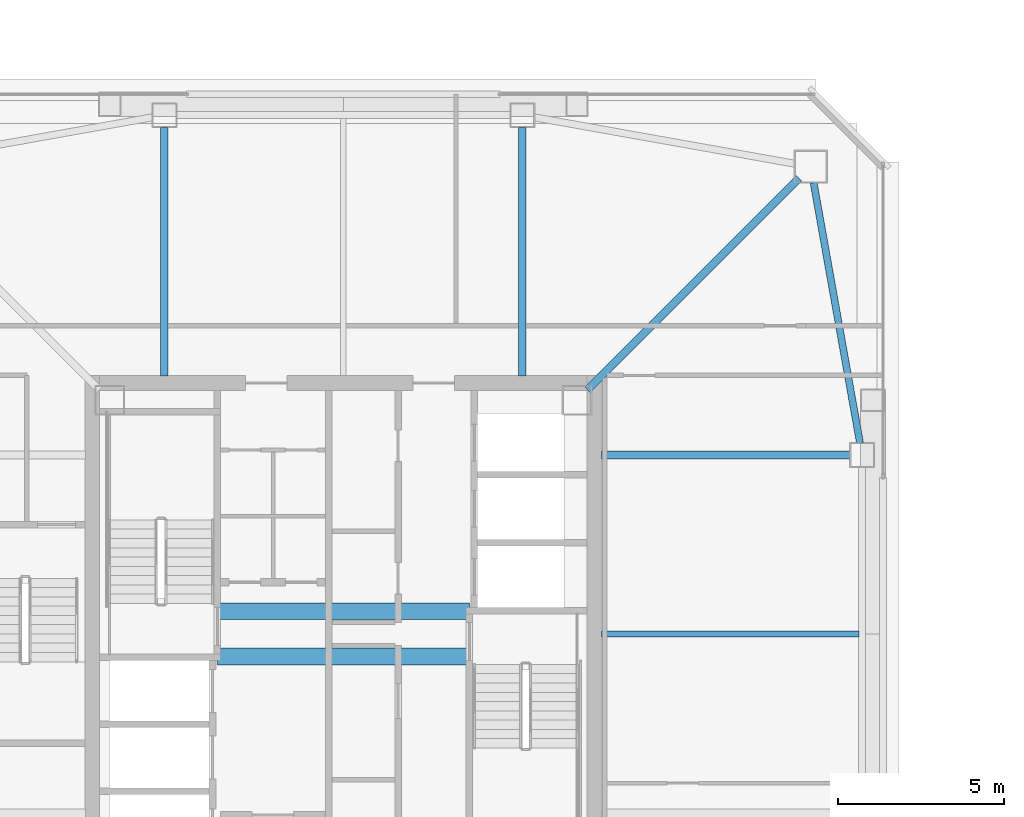
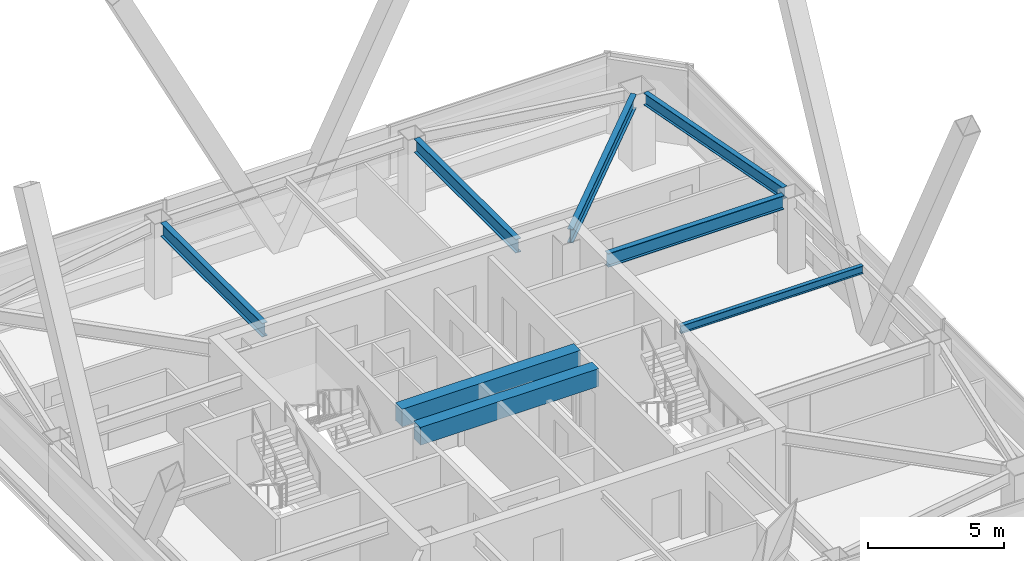
# One storey, part 10 of 47: 8 beams.
"""IFC4 building model written with IfcOpenShell, lengths in metres."""

import ifcopenshell
import ifcopenshell.guid

model = None  # the IFC model being written
_history = None  # IfcOwnerHistory: only IFC2X3 demands one
_inside = {}  # id of a spatial element -> (the spatial element, [elements in it])
_under = {}  # id of a project, library or spatial element -> (it, [spatial elements below it])
_declared = {}  # id of a project -> (the project, [libraries it declares])
_typed = {}  # id of a type object -> (the type object, [elements of that type])
_made_of = {}  # id of a material, layer set ... -> (it, [elements and type objects made of it])


def new_model(schema):
    """Start an empty IFC model of exactly this schema.

    Asked for "IFC4X3", IfcOpenShell would pick the latest addendum, in which some entities
    have other attributes; the version numbers below select the first issue.
    IFC2X3 requires an IfcOwnerHistory on every rooted entity: one is made here for all.
    """
    global model, _history
    if schema == "IFC4X3":
        model = ifcopenshell.file(schema_version=(4, 3, 0, 0))
    else:
        model = ifcopenshell.file(schema=schema)
    _inside.clear()
    _under.clear()
    _declared.clear()
    _typed.clear()
    _made_of.clear()
    _history = None
    if model.schema == "IFC2X3":
        org = make("IfcOrganization", Name="unknown")
        user = make(
            "IfcPersonAndOrganization",
            ThePerson=make("IfcPerson", FamilyName="unknown"),
            TheOrganization=org,
        )
        app = make(
            "IfcApplication",
            ApplicationDeveloper=org,
            Version="unknown",
            ApplicationFullName="unknown",
            ApplicationIdentifier="unknown",
        )
        _history = make(
            "IfcOwnerHistory",
            OwningUser=user,
            OwningApplication=app,
            ChangeAction="ADDED",
            CreationDate=0,
        )
    return model


def make(cls, **values):
    """One entity of the class cls with the attributes given. An attribute that is None is left unset."""
    return model.create_entity(
        cls, **{name: value for name, value in values.items() if value is not None}
    )


def rooted(cls, **values):
    """An entity with a GlobalId (a new one), such as an element, a storey or a relation."""
    return make(cls, GlobalId=ifcopenshell.guid.new(), OwnerHistory=_history, **values)


def si_unit(unit_type, name, prefix=None):
    """IfcSIUnit, for example si_unit("LENGTHUNIT", "METRE", prefix="MILLI")."""
    return make("IfcSIUnit", UnitType=unit_type, Prefix=prefix, Name=name)


def assignment(units):
    """IfcUnitAssignment: the units of a project."""
    return None if units is None else make("IfcUnitAssignment", Units=units)


def point(xyz):
    """IfcCartesianPoint."""
    return None if xyz is None else make("IfcCartesianPoint", Coordinates=xyz)


def direction(xyz):
    """IfcDirection."""
    return None if xyz is None else make("IfcDirection", DirectionRatios=xyz)


def frame(location, z_axis=None, x_axis=None):
    """IfcAxis2Placement3D, a coordinate frame: its origin and axes. An axis left out is left unset."""
    return make(
        "IfcAxis2Placement3D",
        Location=point(location),
        Axis=direction(z_axis),
        RefDirection=direction(x_axis),
    )


def frame_2d(location, x_axis=None):
    """IfcAxis2Placement2D, a coordinate frame in the plane: its origin and x axis."""
    return make(
        "IfcAxis2Placement2D", Location=point(location), RefDirection=direction(x_axis)
    )


def origin():
    """The frame at (0, 0, 0) with its axes left unset."""
    return frame((0.0, 0.0, 0.0))


def origin_2d():
    """The frame at (0, 0) in the plane with its x axis left unset."""
    return frame_2d((0.0, 0.0))


def place(relative_to, where):
    """IfcLocalPlacement: puts the frame where relative to a parent placement (None: the world)."""
    return make(
        "IfcLocalPlacement", PlacementRelTo=relative_to, RelativePlacement=where
    )


def context(
    kind, dimensions, precision=None, world=None, true_north=None, identifier=None
):
    """IfcGeometricRepresentationContext, for example the 3D "Model" context."""
    return make(
        "IfcGeometricRepresentationContext",
        ContextIdentifier=identifier,
        ContextType=kind,
        CoordinateSpaceDimension=dimensions,
        Precision=precision,
        WorldCoordinateSystem=world,
        TrueNorth=true_north,
    )


def subcontext(parent, identifier, kind, view, scale=None):
    """IfcGeometricRepresentationSubContext, for example "Body" below "Model"."""
    return make(
        "IfcGeometricRepresentationSubContext",
        ContextIdentifier=identifier,
        ContextType=kind,
        ParentContext=parent,
        TargetScale=scale,
        TargetView=view,
    )


def project(units=None, contexts=None):
    """IfcProject with its units and contexts."""
    return rooted(
        "IfcProject",
        Name="project",
        RepresentationContexts=contexts,
        UnitsInContext=assignment(units),
    )


def spatial(cls, under=None, at=None, **own):
    """A site, building, storey or space (cls), placed at a placement, below another one or the project."""
    s = rooted(cls, ObjectPlacement=at, **own)
    if under is not None:
        _under.setdefault(under.id(), (under, []))[1].append(s)
    return s


def profile(cls, at=None, kind="AREA", **sizes):
    """A parametric profile (cls). Its sizes go by their IFC names, for example OverallWidth=200.0."""
    return make(cls, ProfileType=kind, Position=at, **sizes)


def rectangle(**sizes):
    """IfcRectangleProfileDef."""
    return profile("IfcRectangleProfileDef", **sizes)


def i_section(**sizes):
    """IfcIShapeProfileDef."""
    return profile("IfcIShapeProfileDef", **sizes)


def extrude(swept, where, along, depth):
    """IfcExtrudedAreaSolid: the profile swept, set in the frame where, extruded along a direction by depth."""
    return make(
        "IfcExtrudedAreaSolid",
        SweptArea=swept,
        Position=where,
        ExtrudedDirection=direction(along),
        Depth=depth,
    )


def shape(context_of_items, identifier, shape_type, items):
    """IfcShapeRepresentation: the items that make up one representation, for example the "Body"."""
    return make(
        "IfcShapeRepresentation",
        ContextOfItems=context_of_items,
        RepresentationIdentifier=identifier,
        RepresentationType=shape_type,
        Items=items,
    )


def material(Name=None, Category=None):
    """IfcMaterial."""
    return make("IfcMaterial", Name=Name, Category=Category)


def material_profile(
    of_material, cross_section, Name=None, Category=None, Priority=None
):
    """IfcMaterialProfile: a cross section and its material."""
    return make(
        "IfcMaterialProfile",
        Name=Name,
        Material=of_material,
        Profile=cross_section,
        Priority=Priority,
        Category=Category,
    )


def profile_set(profiles, Name=None, composite=None):
    """IfcMaterialProfileSet."""
    return make(
        "IfcMaterialProfileSet",
        Name=Name,
        MaterialProfiles=profiles,
        CompositeProfile=composite,
    )


def made_of(thing, what):
    """Note that an element or type object is made of a material, layer set ...; save() writes the relation."""
    if what is not None:
        _made_of.setdefault(what.id(), (what, []))[1].append(thing)
    return thing


def type_object(cls, material=None, **own):
    """A type object (cls), such as IfcWallType, which elements share."""
    return made_of(rooted(cls, **own), material)


def element(
    cls,
    number,
    at=None,
    inside=None,
    cuts=None,
    type_object=None,
    material=None,
    context=None,
    identifier="Body",
    shape_type=None,
    held_by="IfcProductDefinitionShape",
    body=None,
    shapes=None,
    **own,
):
    """One element of the class cls, such as IfcWall. Its Tag is "e" and its number.

    at: its placement. inside: the storey or other place that contains it. cuts: it is an
    opening in that element (IfcRelVoidsElement). A single representation is given by context,
    identifier, shape_type and body (its items); several are given by shapes. held_by: the class
    of the entity that holds the representations. save() writes the other relations.
    """
    e = rooted(cls, Tag="e%d" % number, ObjectPlacement=at, **own)
    if body is not None:
        shapes = [shape(context, identifier, shape_type, body)]
    if shapes is not None:
        e.Representation = make(held_by, Representations=shapes)
    if inside is not None:
        _inside.setdefault(inside.id(), (inside, []))[1].append(e)
    if cuts is not None:
        rooted(
            "IfcRelVoidsElement", RelatingBuildingElement=cuts, RelatedOpeningElement=e
        )
    if type_object is not None:
        _typed.setdefault(type_object.id(), (type_object, []))[1].append(e)
    return made_of(e, material)


def aggregate(whole, parts):
    """IfcRelAggregates: a whole, such as a stair, and the parts it consists of."""
    return rooted("IfcRelAggregates", RelatingObject=whole, RelatedObjects=parts)


def save(model, path):
    """Write the relations noted so far, then the file.

    IfcRelAggregates (storeys below a building ...), IfcRelContainedInSpatialStructure (elements
    in a storey), IfcRelDefinesByType, IfcRelAssociatesMaterial and IfcRelDeclares: one each for
    every whole, place, type object, material and project.
    """
    for whole, parts in _under.values():
        aggregate(whole, parts)
    for where, things in _inside.values():
        rooted(
            "IfcRelContainedInSpatialStructure",
            RelatedElements=things,
            RelatingStructure=where,
        )
    for kind, things in _typed.values():
        rooted("IfcRelDefinesByType", RelatedObjects=things, RelatingType=kind)
    for what, things in _made_of.values():
        rooted("IfcRelAssociatesMaterial", RelatedObjects=things, RelatingMaterial=what)
    for by, libraries in _declared.values():
        rooted("IfcRelDeclares", RelatingContext=by, RelatedDefinitions=libraries)
    model.write(path)


model = new_model("IFC4")

# Units and contexts
model_context = context("Model", 3, precision=1e-05, world=origin(), true_north=direction((0.0, 1.0)))
body_context = subcontext(model_context, "Body", "Model", "MODEL_VIEW")
ifc_project = project(units=[si_unit("LENGTHUNIT", "METRE"), si_unit("AREAUNIT", "SQUARE_METRE"), si_unit("VOLUMEUNIT", "CUBIC_METRE"), si_unit("PLANEANGLEUNIT", "RADIAN"), si_unit("MASSUNIT", "GRAM", prefix="KILO")], contexts=[model_context])

# Site, building, storey
site_placement = place(None, origin())
site = spatial("IfcSite", under=ifc_project, at=site_placement, CompositionType="ELEMENT")
building_placement = place(site_placement, origin())
building = spatial("IfcBuilding", under=site, at=building_placement, Name="Tashvorn Skyway Center", CompositionType="ELEMENT")
storey_placement = place(building_placement, frame((0.0, 0.0, 204.199951171875)))
storey = spatial("IfcBuildingStorey", under=building, at=storey_placement, Name="L55", CompositionType="ELEMENT", Elevation=204.199951171875)

# Beams
ifc_material_1 = material(Name="Steel ASTM A992 Grade 50", Category="steel")
ifc_material_profile_1 = material_profile(ifc_material_1, i_section(OverallWidth=0.22998046875, OverallDepth=0.616943359375, WebThickness=0.01318359375, FlangeThickness=0.022216796875, at=origin_2d()), Name="W24X94")
ifc_profile_set_1 = profile_set([ifc_material_profile_1], Name="Steel ASTM A992 Grade 50")
beam_type_1 = type_object("IfcBeamType", Name="BM-BEAM-W24X94", PredefinedType="BEAM", material=ifc_profile_set_1)
beam_1_placement = place(storey_placement, frame((55.75, 45.75, 3.0615234375), z_axis=(-0.707106781187, -0.707106781187, 0.0), x_axis=(0.707106781187, -0.707106781187, 0.0)))
element("IfcBeam", 1, at=beam_1_placement, inside=storey, type_object=beam_type_1, Name="Tower 1 L55 Primary Floor Girder MC-NE", PredefinedType="BEAM", context=body_context, shape_type="SweptSolid", body=[
    extrude(i_section(OverallWidth=0.22998046875, OverallDepth=0.616943359375, WebThickness=0.01318359375, FlangeThickness=0.022216796875, at=origin_2d()), origin(), (0.0, 0.0, 1.0), 9.030029296875),
])
for number, where, z_axis, x_axis, name in (
    (2, (57.280029296875, 37.39990234375, 3.0615234375), (-1.0, 0.0, 0.0), (0.0, -1.0, 0.0), "Tower 1 L55 Primary Floor Girder FC-E2"),
    (3, (47.39990234375, 47.280029296875, 3.0615234375), (0.0, -1.0, 0.0), (1.0, 0.0, 0.0), "Tower 1 L55 Primary Floor Girder FC-N1"),
    (4, (36.60009765625, 47.280029296875, 3.0615234375), (0.0, -1.0, 0.0), (1.0, 0.0, 0.0), "Tower 1 L55 Primary Floor Girder FC-N2"),
):
    element("IfcBeam", number, at=place(storey_placement, frame(where, z_axis=z_axis, x_axis=x_axis)), inside=storey, type_object=beam_type_1, Name=name, PredefinedType="BEAM", context=body_context, shape_type="SweptSolid", body=[
        extrude(i_section(OverallWidth=0.22998046875, OverallDepth=0.616943359375, WebThickness=0.01318359375, FlangeThickness=0.022216796875, at=origin_2d()), origin(), (0.0, 0.0, 1.0), 7.5),
    ])
ifc_material_profile_2 = material_profile(ifc_material_1, i_section(OverallWidth=0.1708984375, OverallDepth=0.35498046875, WebThickness=0.007080078125, FlangeThickness=0.01171875, at=origin_2d()), Name="W14X34")
ifc_profile_set_2 = profile_set([ifc_material_profile_2], Name="Steel ASTM A992 Grade 50")
beam_type_2 = type_object("IfcBeamType", Name="BM-JOIST-W14X34", PredefinedType="JOIST", material=ifc_profile_set_2)
beam_2_placement = place(storey_placement, frame((49.7900390625, 32.0, 3.192626953125), z_axis=(1.0, 0.0, 0.0), x_axis=(0.0, 1.0, 0.0)))
element("IfcBeam", 5, at=beam_2_placement, inside=storey, type_object=beam_type_2, Name="Tower 1 L55 Secondary Composite Joist JE", PredefinedType="JOIST", context=body_context, shape_type="SweptSolid", body=[
    extrude(i_section(OverallWidth=0.1708984375, OverallDepth=0.35498046875, WebThickness=0.007080078125, FlangeThickness=0.01171875, at=origin_2d()), origin(), (0.0, 0.0, 1.0), 7.762451171875),
])
ifc_material_2 = material(Name="Concrete C50/60", Category="concrete")
ifc_material_profile_3 = material_profile(ifc_material_2, rectangle(XDim=0.5, YDim=0.800048828125, at=origin_2d()), Name="RCB500x800")
ifc_profile_set_3 = profile_set([ifc_material_profile_3], Name="Concrete C50/60")
beam_type_3 = type_object("IfcBeamType", Name="BM-LINTEL-RCB500x800", PredefinedType="LINTEL", material=ifc_profile_set_3)
for number, where, z_axis, x_axis, name in (
    (6, (38.199951171875, 32.679931640625, 2.969970703125), (1.0, 0.0, 0.0), (0.0, 1.0, 0.0), "Tower 1 L55 Core Coupling Beam CN"),
    (7, (38.199951171875, 31.320068359375, 2.969970703125), (1.0, 0.0, 0.0), (0.0, 1.0, 0.0), "Tower 1 L55 Core Coupling Beam CS"),
):
    element("IfcBeam", number, at=place(storey_placement, frame(where, z_axis=z_axis, x_axis=x_axis)), inside=storey, type_object=beam_type_3, Name=name, PredefinedType="LINTEL", context=body_context, shape_type="SweptSolid", body=[
        extrude(rectangle(XDim=0.5, YDim=0.800048828125, at=origin_2d()), origin(), (0.0, 0.0, 1.0), 7.60009765625),
    ])
ifc_material_profile_4 = material_profile(ifc_material_1, i_section(OverallWidth=0.2109375, OverallDepth=0.5390625, WebThickness=0.01171875, FlangeThickness=0.018798828125, at=origin_2d()), Name="W21X73")
ifc_profile_set_4 = profile_set([ifc_material_profile_4], Name="Steel ASTM A992 Grade 50")
beam_type_4 = type_object("IfcBeamType", Name="BM-SPANDREL-W21X73", PredefinedType="SPANDREL", material=ifc_profile_set_4)
beam_3_placement = place(storey_placement, frame((57.585205078125, 37.76416015625, 3.1005859375), z_axis=(-0.17541329759, 0.984494883191, 0.0), x_axis=(-0.984494883191, -0.17541329759, 0.0)))
element("IfcBeam", 8, at=beam_3_placement, inside=storey, type_object=beam_type_4, Name="Tower 1 L55 Spandrel Beam 06", PredefinedType="SPANDREL", context=body_context, shape_type="SweptSolid", body=[
    extrude(i_section(OverallWidth=0.2109375, OverallDepth=0.5390625, WebThickness=0.01171875, FlangeThickness=0.018798828125, at=origin_2d()), origin(), (0.0, 0.0, 1.0), 7.97216796875),
])

save(model, "model.ifc")
